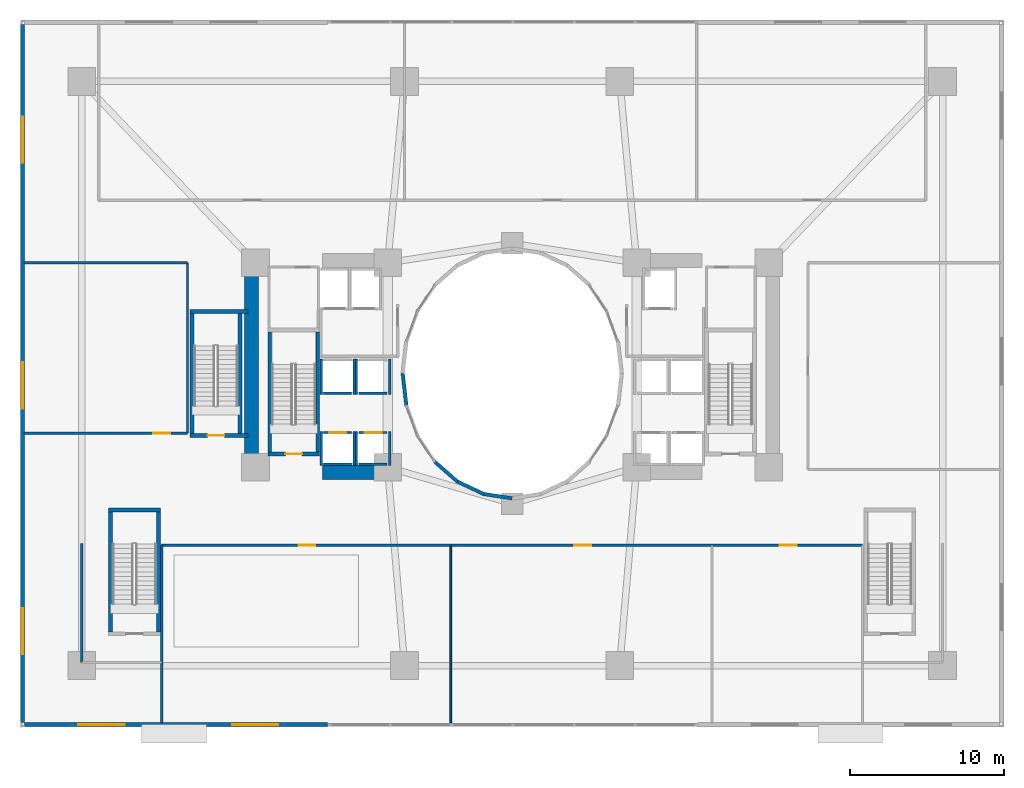
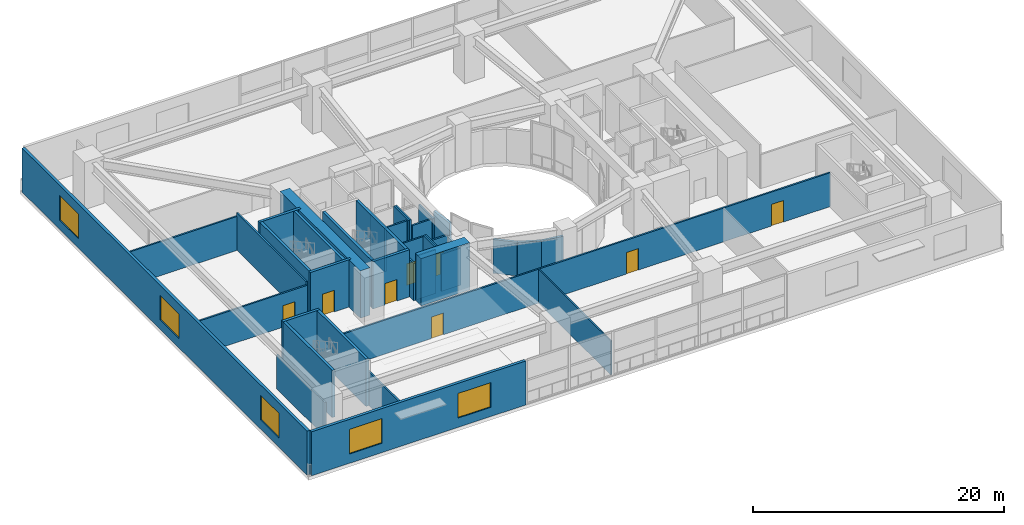
# One storey, part 15 of 25: 39 walls, 8 doors, 5 windows, 13 openings.
"""IFC4 building model written with IfcOpenShell, lengths in metres."""

from ifc_helpers import new_model, si_unit, direction, frame, frame_2d, origin, place, context, subcontext, project, spatial, rectangle, extrude, material, layer, layer_set, type_object, element, fill, save


model = new_model("IFC4")

# Units and contexts
model_context = context("Model", 3, precision=1e-05, world=origin(), true_north=direction((0.0, 1.0)))
body_context = subcontext(model_context, "Body", "Model", "MODEL_VIEW")
ifc_project = project(units=[si_unit("LENGTHUNIT", "METRE"), si_unit("AREAUNIT", "SQUARE_METRE"), si_unit("VOLUMEUNIT", "CUBIC_METRE"), si_unit("PLANEANGLEUNIT", "RADIAN"), si_unit("MASSUNIT", "GRAM", prefix="KILO")], contexts=[model_context])

# Site, building, storey
site_placement = place(None, origin())
site = spatial("IfcSite", under=ifc_project, at=site_placement, CompositionType="ELEMENT")
building_placement = place(site_placement, origin())
building = spatial("IfcBuilding", under=site, at=building_placement, Name="Solvane Sanctuary Tower", CompositionType="ELEMENT")
storey_placement = place(building_placement, frame((0.0, 0.0, 13.800048828125)))
storey = spatial("IfcBuildingStorey", under=building, at=storey_placement, Name="L04", CompositionType="ELEMENT", Elevation=13.800048828125)

# Walls
ifc_material_1 = material(Name="Concrete C70/85", Category="concrete")
ifc_layer_1 = layer(ifc_material_1, 0.89990234375, Name="Concrete C70/85")
ifc_layer_set_1 = layer_set([ifc_layer_1], Name="Concrete C70/85")
wall_type_1 = type_object("IfcWallType", Name="Wall W-CORE-900", PredefinedType="SHEAR", material=ifc_layer_set_1)
wall_1_placement = place(storey_placement, frame((15.050048828125, 17.050048828125, 0.0), z_axis=(0.0, 0.0, 1.0), x_axis=(0.0, 1.0, 0.0)))
element("IfcWall", 1, at=wall_1_placement, inside=storey, type_object=wall_type_1, Name="L04 Core Shear Wall WC-W", PredefinedType="SHEAR", context=body_context, shape_type="SweptSolid", body=[
    extrude(rectangle(XDim=12.800048828125, YDim=0.89990234375, at=frame_2d((6.39990234375, 0.0))), origin(), (0.0, 0.0, 1.0), 4.599853515625),
])
wall_2_placement = place(storey_placement, frame((19.64990234375, 16.550048828125, 0.0), z_axis=(0.0, 0.0, 1.0), x_axis=(1.0, 0.0, 0.0)))
element("IfcWall", 2, at=wall_2_placement, inside=storey, type_object=wall_type_1, Name="L04 Core Shear Wall WC-S", PredefinedType="SHEAR", context=body_context, shape_type="SweptSolid", body=[
    extrude(rectangle(XDim=4.5, YDim=0.89990234375, at=frame_2d((2.25, 0.0))), origin(), (0.0, 0.0, 1.0), 4.599853515625),
])

# Wall, openings, doors
ifc_material_2 = material(Name="Acoustic Gypsum Partition Board")
ifc_layer_2 = layer(ifc_material_2, 0.14990234375, Name="Acoustic Gypsum Partition Board")
ifc_layer_set_2 = layer_set([ifc_layer_2], Name="Acoustic Gypsum Partition Board")
wall_type_2 = type_object("IfcWallType", Name="Wall W-CORR-150", PredefinedType="PARTITIONING", material=ifc_layer_set_2)
wall_3_placement = place(storey_placement, frame((9.199951171875, 11.830078125, 0.0), z_axis=(0.0, 0.0, 1.0), x_axis=(1.0, 0.0, 0.0)))
wall_3 = element("IfcWall", 3, at=wall_3_placement, inside=storey, type_object=wall_type_2, Name="L04 South Sanctuary Corridor Wall", PredefinedType="PARTITIONING", context=body_context, shape_type="SweptSolid", body=[
    extrude(rectangle(XDim=45.60009765625, YDim=0.14990234375, at=frame_2d((22.800048828125, 0.0))), origin(), (0.0, 0.0, 1.0), 3.300048828125),
])
opening_1_placement = place(wall_3_placement, frame((8.89990234375, 0.0, 0.0)))
opening_1 = element("IfcOpeningElement", 4, at=opening_1_placement, cuts=wall_3, Name="Opening D-L04-08", PredefinedType="OPENING", context=body_context, shape_type="SweptSolid", body=[
    extrude(rectangle(XDim=1.10009765625, YDim=2.10009765625, at=frame_2d((0.550048828125, 1.050048828125))), frame((0.0, 0.0849609375, 0.0), z_axis=(0.0, -1.0, 0.0), x_axis=(1.0, 0.0, 0.0)), (0.0, 0.0, 1.0), 0.169921875),
])
opening_2_placement = place(wall_3_placement, frame((26.85009765625, 0.0, 0.0)))
opening_2 = element("IfcOpeningElement", 5, at=opening_2_placement, cuts=wall_3, Name="Opening D-L04-09", PredefinedType="OPENING", context=body_context, shape_type="SweptSolid", body=[
    extrude(rectangle(XDim=1.10009765625, YDim=2.10009765625, at=frame_2d((0.550048828125, 1.050048828125))), frame((0.0, 0.0849609375, 0.0), z_axis=(0.0, -1.0, 0.0), x_axis=(1.0, 0.0, 0.0)), (0.0, 0.0, 1.0), 0.169921875),
])
opening_3_placement = place(wall_3_placement, frame((40.199951171875, 0.0, 0.0)))
opening_3 = element("IfcOpeningElement", 6, at=opening_3_placement, cuts=wall_3, Name="Opening D-L04-10", PredefinedType="OPENING", context=body_context, shape_type="SweptSolid", body=[
    extrude(rectangle(XDim=1.10009765625, YDim=2.10009765625, at=frame_2d((0.550048828125, 1.050048828125))), frame((0.0, 0.0849609375, 0.0), z_axis=(0.0, -1.0, 0.0), x_axis=(1.0, 0.0, 0.0)), (0.0, 0.0, 1.0), 0.169921875),
])
ifc_material_3 = material(Name="Architectural Stainless Steel 316", Category="steel")
door_type_1 = type_object("IfcDoorType", Name="Door D-FFL", OperationType="NOTDEFINED", PredefinedType="DOOR", material=ifc_material_3)
door_1_placement = place(opening_1_placement, origin())
door_1 = element("IfcDoor", 7, at=door_1_placement, inside=storey, type_object=door_type_1, Name="L04 REF-W Hall Door", OperationType="SINGLE_SWING_RIGHT", OverallHeight=2.10009765625, OverallWidth=1.10009765625, PredefinedType="DOOR", context=body_context, shape_type="SweptSolid", body=[
    extrude(rectangle(XDim=1.10009765625, YDim=2.10009765625, at=frame_2d((0.550048828125, 1.050048828125))), frame((0.0, 0.02490234375, 0.0), z_axis=(0.0, -1.0, 0.0), x_axis=(1.0, 0.0, 0.0)), (0.0, 0.0, 1.0), 0.050048828125),
])
fill(opening_1, door_1)
door_2_placement = place(opening_2_placement, origin())
door_2 = element("IfcDoor", 8, at=door_2_placement, inside=storey, type_object=door_type_1, Name="L04 REF-E Hall Door", OperationType="SINGLE_SWING_LEFT", OverallHeight=2.10009765625, OverallWidth=1.10009765625, PredefinedType="DOOR", context=body_context, shape_type="SweptSolid", body=[
    extrude(rectangle(XDim=1.10009765625, YDim=2.10009765625, at=frame_2d((0.550048828125, 1.050048828125))), frame((0.0, 0.02490234375, 0.0), z_axis=(0.0, -1.0, 0.0), x_axis=(1.0, 0.0, 0.0)), (0.0, 0.0, 1.0), 0.050048828125),
])
fill(opening_2, door_2)
door_3_placement = place(opening_3_placement, origin())
door_3 = element("IfcDoor", 9, at=door_3_placement, inside=storey, type_object=door_type_1, Name="L04 TEA-S Hall Door", OperationType="SINGLE_SWING_RIGHT", OverallHeight=2.10009765625, OverallWidth=1.10009765625, PredefinedType="DOOR", context=body_context, shape_type="SweptSolid", body=[
    extrude(rectangle(XDim=1.10009765625, YDim=2.10009765625, at=frame_2d((0.550048828125, 1.050048828125))), frame((0.0, 0.02490234375, 0.0), z_axis=(0.0, -1.0, 0.0), x_axis=(1.0, 0.0, 0.0)), (0.0, 0.0, 1.0), 0.050048828125),
])
fill(opening_3, door_3)

# Walls
wall_4_placement = place(storey_placement, frame((9.199951171875, 0.25, 0.0), z_axis=(0.0, 0.0, 1.0), x_axis=(0.0, 1.0, 0.0)))
element("IfcWall", 10, at=wall_4_placement, inside=storey, type_object=wall_type_2, Name="L04 West Hall End Wall", PredefinedType="PARTITIONING", context=body_context, shape_type="SweptSolid", body=[
    extrude(rectangle(XDim=11.580078125, YDim=0.14990234375, at=frame_2d((5.7900390625, 0.0))), origin(), (0.0, 0.0, 1.0), 3.300048828125),
])
wall_5_placement = place(storey_placement, frame((4.0, 4.199951171875, 0.0), z_axis=(0.0, 0.0, 1.0), x_axis=(0.0, 1.0, 0.0)))
element("IfcWall", 11, at=wall_5_placement, inside=storey, type_object=wall_type_2, Name="L04 ST-4 Link West Wall", PredefinedType="PARTITIONING", context=body_context, shape_type="SweptSolid", body=[
    extrude(rectangle(XDim=7.75, YDim=0.14990234375, at=frame_2d((3.875, 0.0))), origin(), (0.0, 0.0, 1.0), 3.300048828125),
])

# Wall, opening, door
wall_6_placement = place(storey_placement, frame((0.25, 19.1201171875, 0.0), z_axis=(0.0, 0.0, 1.0), x_axis=(1.0, 0.0, 0.0)))
wall_6 = element("IfcWall", 12, at=wall_6_placement, inside=storey, type_object=wall_type_2, Name="L04 West Cloister South Wall", PredefinedType="PARTITIONING", context=body_context, shape_type="SweptSolid", body=[
    extrude(rectangle(XDim=10.6298828125, YDim=0.14990234375, at=frame_2d((5.31494140625, 0.0))), origin(), (0.0, 0.0, 1.0), 3.300048828125),
])
opening_4_placement = place(wall_6_placement, frame((8.39990234375, 0.0, 0.0)))
opening_4 = element("IfcOpeningElement", 13, at=opening_4_placement, cuts=wall_6, Name="Opening D-L04-15", PredefinedType="OPENING", context=body_context, shape_type="SweptSolid", body=[
    extrude(rectangle(XDim=1.10009765625, YDim=2.10009765625, at=frame_2d((0.550048828125, 1.050048828125))), frame((0.0, 0.0849609375, 0.0), z_axis=(0.0, -1.0, 0.0), x_axis=(1.0, 0.0, 0.0)), (0.0, 0.0, 1.0), 0.169921875),
])
door_4_placement = place(opening_4_placement, origin())
door_4 = element("IfcDoor", 14, at=door_4_placement, inside=storey, type_object=door_type_1, Name="L04 West Cloister Door", OperationType="SINGLE_SWING_LEFT", OverallHeight=2.10009765625, OverallWidth=1.10009765625, PredefinedType="DOOR", context=body_context, shape_type="SweptSolid", body=[
    extrude(rectangle(XDim=1.10009765625, YDim=2.10009765625, at=frame_2d((0.550048828125, 1.050048828125))), frame((0.0, 0.02490234375, 0.0), z_axis=(0.0, -1.0, 0.0), x_axis=(1.0, 0.0, 0.0)), (0.0, 0.0, 1.0), 0.050048828125),
])
fill(opening_4, door_4)

# Walls
wall_7_placement = place(storey_placement, frame((10.8798828125, 19.1201171875, 0.0), z_axis=(0.0, 0.0, 1.0), x_axis=(0.0, 1.0, 0.0)))
element("IfcWall", 15, at=wall_7_placement, inside=storey, type_object=wall_type_2, Name="L04 West Cloister East Wall", PredefinedType="PARTITIONING", context=body_context, shape_type="SweptSolid", body=[
    extrude(rectangle(XDim=11.079833984375, YDim=0.14990234375, at=frame_2d((5.5400390625, 0.0))), origin(), (0.0, 0.0, 1.0), 3.619873046875),
])
wall_8_placement = place(storey_placement, frame((0.25, 30.199951171875, 0.0), z_axis=(0.0, 0.0, 1.0), x_axis=(1.0, 0.0, 0.0)))
element("IfcWall", 16, at=wall_8_placement, inside=storey, type_object=wall_type_2, Name="L04 West Cloister North Wall", PredefinedType="PARTITIONING", context=body_context, shape_type="SweptSolid", body=[
    extrude(rectangle(XDim=10.6298828125, YDim=0.14990234375, at=frame_2d((5.31494140625, 0.0))), origin(), (0.0, 0.0, 1.0), 3.300048828125),
])

# Wall, openings, windows
ifc_material_4 = material(Name="Precast concrete C40/50", Category="concrete")
ifc_layer_3 = layer(ifc_material_4, 0.260009765625, Name="Precast concrete C40/50")
ifc_layer_set_3 = layer_set([ifc_layer_3], Name="Precast concrete C40/50")
wall_type_3 = type_object("IfcWallType", Name="Wall W-EXT-250", PredefinedType="STANDARD", material=ifc_layer_set_3)
wall_9_placement = place(storey_placement, frame((0.280029296875, 0.14990234375, 0.0), z_axis=(0.0, 0.0, 1.0), x_axis=(1.0, 0.0, 0.0)))
wall_9 = element("IfcWall", 17, at=wall_9_placement, inside=storey, type_object=wall_type_3, Name="L04 Podium Facade Wall S1", PredefinedType="STANDARD", context=body_context, shape_type="SweptSolid", body=[
    extrude(rectangle(XDim=19.719970703125, YDim=0.260009765625, at=frame_2d((9.85986328125, 0.0))), origin(), (0.0, 0.0, 1.0), 4.280029296875),
])
opening_5_placement = place(wall_9_placement, frame((3.5, 0.0, 0.89990234375)))
opening_5 = element("IfcOpeningElement", 18, at=opening_5_placement, cuts=wall_9, Name="Opening WN-POD-3000", PredefinedType="OPENING", context=body_context, shape_type="SweptSolid", body=[
    extrude(rectangle(XDim=3.0, YDim=2.39990234375, at=frame_2d((1.5, 1.199951171875))), frame((0.0, 0.139892578125, 0.0), z_axis=(0.0, -1.0, 0.0), x_axis=(1.0, 0.0, 0.0)), (0.0, 0.0, 1.0), 0.280029296875),
])
opening_6_placement = place(wall_9_placement, frame((13.5, 0.0, 0.89990234375)))
opening_6 = element("IfcOpeningElement", 19, at=opening_6_placement, cuts=wall_9, Name="Opening WN-POD-3000", PredefinedType="OPENING", context=body_context, shape_type="SweptSolid", body=[
    extrude(rectangle(XDim=3.0, YDim=2.39990234375, at=frame_2d((1.5, 1.199951171875))), frame((0.0, 0.139892578125, 0.0), z_axis=(0.0, -1.0, 0.0), x_axis=(1.0, 0.0, 0.0)), (0.0, 0.0, 1.0), 0.280029296875),
])
ifc_material_5 = material(Name="Dark Ceramic-Fritted Low-E Glass", Category="glass")
window_type = type_object("IfcWindowType", Name="Window WN-POD-3000", PartitioningType="SINGLE_PANEL", PredefinedType="WINDOW", material=ifc_material_5)
window_1_placement = place(opening_5_placement, origin())
window_1 = element("IfcWindow", 20, at=window_1_placement, inside=storey, type_object=window_type, Name="L04 Podium Window S1-3", OverallHeight=2.39990234375, OverallWidth=3.0, PartitioningType="SINGLE_PANEL", PredefinedType="WINDOW", context=body_context, shape_type="SweptSolid", body=[
    extrude(rectangle(XDim=3.0, YDim=2.39990234375, at=frame_2d((1.5, 1.199951171875))), frame((0.0, 0.030029296875, 0.0), z_axis=(0.0, -1.0, 0.0), x_axis=(1.0, 0.0, 0.0)), (0.0, 0.0, 1.0), 0.06005859375),
])
fill(opening_5, window_1)
window_2_placement = place(opening_6_placement, origin())
window_2 = element("IfcWindow", 21, at=window_2_placement, inside=storey, type_object=window_type, Name="L04 Podium Window S1-13", OverallHeight=2.39990234375, OverallWidth=3.0, PartitioningType="SINGLE_PANEL", PredefinedType="WINDOW", context=body_context, shape_type="SweptSolid", body=[
    extrude(rectangle(XDim=3.0, YDim=2.39990234375, at=frame_2d((1.5, 1.199951171875))), frame((0.0, 0.030029296875, 0.0), z_axis=(0.0, -1.0, 0.0), x_axis=(1.0, 0.0, 0.0)), (0.0, 0.0, 1.0), 0.06005859375),
])
fill(opening_6, window_2)

wall_10_placement = place(storey_placement, frame((0.14990234375, 45.719970703125, 0.0), z_axis=(0.0, 0.0, 1.0), x_axis=(0.0, -1.0, 0.0)))
wall_10 = element("IfcWall", 22, at=wall_10_placement, inside=storey, type_object=wall_type_3, Name="L04 Podium Facade Wall W1", PredefinedType="STANDARD", context=body_context, shape_type="SweptSolid", body=[
    extrude(rectangle(XDim=45.43994140625, YDim=0.260009765625, at=frame_2d((22.719970703125, 0.0))), origin(), (0.0, 0.0, 1.0), 4.280029296875),
])
opening_7_placement = place(wall_10_placement, frame((6.0, 0.0, 0.89990234375)))
opening_7 = element("IfcOpeningElement", 23, at=opening_7_placement, cuts=wall_10, Name="Opening WN-POD-3000", PredefinedType="OPENING", context=body_context, shape_type="SweptSolid", body=[
    extrude(rectangle(XDim=3.0, YDim=2.39990234375, at=frame_2d((1.5, 1.199951171875))), frame((0.0, 0.139892578125, 0.0), z_axis=(0.0, -1.0, 0.0), x_axis=(1.0, 0.0, 0.0)), (0.0, 0.0, 1.0), 0.280029296875),
])
opening_8_placement = place(wall_10_placement, frame((22.0, 0.0, 0.89990234375)))
opening_8 = element("IfcOpeningElement", 24, at=opening_8_placement, cuts=wall_10, Name="Opening WN-POD-3000", PredefinedType="OPENING", context=body_context, shape_type="SweptSolid", body=[
    extrude(rectangle(XDim=3.0, YDim=2.39990234375, at=frame_2d((1.5, 1.199951171875))), frame((0.0, 0.139892578125, 0.0), z_axis=(0.0, -1.0, 0.0), x_axis=(1.0, 0.0, 0.0)), (0.0, 0.0, 1.0), 0.280029296875),
])
opening_9_placement = place(wall_10_placement, frame((38.0, 0.0, 0.89990234375)))
opening_9 = element("IfcOpeningElement", 25, at=opening_9_placement, cuts=wall_10, Name="Opening WN-POD-3000", PredefinedType="OPENING", context=body_context, shape_type="SweptSolid", body=[
    extrude(rectangle(XDim=3.0, YDim=2.39990234375, at=frame_2d((1.5, 1.199951171875))), frame((0.0, 0.139892578125, 0.0), z_axis=(0.0, -1.0, 0.0), x_axis=(1.0, 0.0, 0.0)), (0.0, 0.0, 1.0), 0.280029296875),
])
window_3_placement = place(opening_7_placement, origin())
window_3 = element("IfcWindow", 26, at=window_3_placement, inside=storey, type_object=window_type, Name="L04 Podium Window W1-6", OverallHeight=2.39990234375, OverallWidth=3.0, PartitioningType="SINGLE_PANEL", PredefinedType="WINDOW", context=body_context, shape_type="SweptSolid", body=[
    extrude(rectangle(XDim=3.0, YDim=2.39990234375, at=frame_2d((1.5, 1.199951171875))), frame((0.0, 0.030029296875, 0.0), z_axis=(0.0, -1.0, 0.0), x_axis=(1.0, 0.0, 0.0)), (0.0, 0.0, 1.0), 0.06005859375),
])
fill(opening_7, window_3)
window_4_placement = place(opening_8_placement, origin())
window_4 = element("IfcWindow", 27, at=window_4_placement, inside=storey, type_object=window_type, Name="L04 Podium Window W1-22", OverallHeight=2.39990234375, OverallWidth=3.0, PartitioningType="SINGLE_PANEL", PredefinedType="WINDOW", context=body_context, shape_type="SweptSolid", body=[
    extrude(rectangle(XDim=3.0, YDim=2.39990234375, at=frame_2d((1.5, 1.199951171875))), frame((0.0, 0.030029296875, 0.0), z_axis=(0.0, -1.0, 0.0), x_axis=(1.0, 0.0, 0.0)), (0.0, 0.0, 1.0), 0.06005859375),
])
fill(opening_8, window_4)
window_5_placement = place(opening_9_placement, origin())
window_5 = element("IfcWindow", 28, at=window_5_placement, inside=storey, type_object=window_type, Name="L04 Podium Window W1-38", OverallHeight=2.39990234375, OverallWidth=3.0, PartitioningType="SINGLE_PANEL", PredefinedType="WINDOW", context=body_context, shape_type="SweptSolid", body=[
    extrude(rectangle(XDim=3.0, YDim=2.39990234375, at=frame_2d((1.5, 1.199951171875))), frame((0.0, 0.030029296875, 0.0), z_axis=(0.0, -1.0, 0.0), x_axis=(1.0, 0.0, 0.0)), (0.0, 0.0, 1.0), 0.06005859375),
])
fill(opening_9, window_5)

# Walls
ifc_layer_4 = layer(ifc_material_4, 0.22998046875, Name="Precast concrete C40/50")
ifc_layer_set_4 = layer_set([ifc_layer_4], Name="Precast concrete C40/50")
wall_type_4 = type_object("IfcWallType", Name="Wall W-EXT-SP220", PredefinedType="STANDARD", material=ifc_layer_set_4)
wall_11_placement = place(storey_placement, frame((24.8798828125, 23.0, 0.0), z_axis=(0.0, 0.0, 1.0), x_axis=(0.114711713601, -0.993398823617, 0.0)))
element("IfcWall", 29, at=wall_11_placement, inside=storey, type_object=wall_type_4, Name="L04 Light-Well Enclosure Wall 12", PredefinedType="STANDARD", context=body_context, shape_type="SweptSolid", body=[
    extrude(rectangle(XDim=2.115478515625, YDim=0.22998046875, at=frame_2d((1.0576171875, 0.0))), origin(), (0.0, 0.0, 1.0), 3.280029296875),
])
wall_12_placement = place(storey_placement, frame((26.96533203125, 17.25830078125, 0.0), z_axis=(0.0, 0.0, 1.0), x_axis=(0.752576694707, -0.658504607869, 0.0)))
element("IfcWall", 30, at=wall_12_placement, inside=storey, type_object=wall_type_4, Name="L04 Light-Well Enclosure Wall 15", PredefinedType="STANDARD", context=body_context, shape_type="SweptSolid", body=[
    extrude(rectangle(XDim=1.95947265625, YDim=0.22998046875, at=frame_2d((0.979736328125, 0.0))), origin(), (0.0, 0.0, 1.0), 3.280029296875),
])
wall_13_placement = place(storey_placement, frame((28.43994140625, 15.968017578125, 0.0), z_axis=(0.0, 0.0, 1.0), x_axis=(0.904179699603, -0.427152280606, 0.0)))
element("IfcWall", 31, at=wall_13_placement, inside=storey, type_object=wall_type_4, Name="L04 Light-Well Enclosure Wall 16", PredefinedType="STANDARD", context=body_context, shape_type="SweptSolid", body=[
    extrude(rectangle(XDim=1.899169921875, YDim=0.22998046875, at=frame_2d((0.94970703125, 0.0))), origin(), (0.0, 0.0, 1.0), 3.280029296875),
])
wall_14_placement = place(storey_placement, frame((30.1572265625, 15.15673828125, 0.0), z_axis=(0.0, 0.0, 1.0), x_axis=(0.988901730308, -0.148571086668, 0.0)))
element("IfcWall", 32, at=wall_14_placement, inside=storey, type_object=wall_type_4, Name="L04 Light-Well Enclosure Wall 17", PredefinedType="STANDARD", context=body_context, shape_type="SweptSolid", body=[
    extrude(rectangle(XDim=1.863525390625, YDim=0.22998046875, at=frame_2d((0.931640625, 0.0))), origin(), (0.0, 0.0, 1.0), 3.280029296875),
])
ifc_layer_5 = layer(ifc_material_2, 0.1201171875, Name="Acoustic Gypsum Partition Board")
ifc_layer_set_5 = layer_set([ifc_layer_5], Name="Acoustic Gypsum Partition Board")
wall_type_5 = type_object("IfcWallType", Name="Wall W-MOV-100", PredefinedType="MOVABLE", material=ifc_layer_set_5)
wall_15_placement = place(storey_placement, frame((28.0, 0.25, 0.0), z_axis=(0.0, 0.0, 1.0), x_axis=(0.0, 1.0, 0.0)))
element("IfcWall", 33, at=wall_15_placement, inside=storey, type_object=wall_type_5, Name="L04 Hall Dividing Partition REF-W", PredefinedType="MOVABLE", context=body_context, shape_type="SweptSolid", body=[
    extrude(rectangle(XDim=11.530029296875, YDim=0.1201171875, at=frame_2d((5.76513671875, 0.0))), origin(), (0.0, 0.0, 1.0), 3.300048828125),
])

# Wall, opening, door
ifc_material_6 = material(Name="Concrete C50/60", Category="concrete")
ifc_layer_6 = layer(ifc_material_6, 0.14990234375, Name="Concrete C50/60")
ifc_layer_set_6 = layer_set([ifc_layer_6], Name="Concrete C50/60")
wall_type_6 = type_object("IfcWallType", Name="Wall W-SHAFT-150", PredefinedType="SOLIDWALL", material=ifc_layer_set_6)
wall_16_placement = place(storey_placement, frame((19.739990234375, 19.159912109375, 0.0), z_axis=(0.0, 0.0, 1.0), x_axis=(1.0, 0.0, 0.0)))
wall_16 = element("IfcWall", 34, at=wall_16_placement, inside=storey, type_object=wall_type_6, Name="L04 PL-1 Lift Shaft Wall F", PredefinedType="SOLIDWALL", context=body_context, shape_type="SweptSolid", body=[
    extrude(rectangle(XDim=1.820068359375, YDim=0.14990234375, at=frame_2d((0.91015625, 0.0))), origin(), (0.0, 0.0, 1.0), 4.2548828125),
])
opening_10_placement = place(wall_16_placement, frame((0.360107421875, 0.0, 0.0)))
opening_10 = element("IfcOpeningElement", 35, at=opening_10_placement, cuts=wall_16, Name="Opening LD-L04-01", PredefinedType="OPENING", context=body_context, shape_type="SweptSolid", body=[
    extrude(rectangle(XDim=1.10009765625, YDim=2.10009765625, at=frame_2d((0.550048828125, 1.050048828125))), frame((0.0, 0.0849609375, 0.0), z_axis=(0.0, -1.0, 0.0), x_axis=(1.0, 0.0, 0.0)), (0.0, 0.0, 1.0), 0.169921875),
])
door_type_2 = type_object("IfcDoorType", Name="Door LD-PASS-1100", OperationType="NOTDEFINED", PredefinedType="DOOR", material=ifc_material_3)
door_5_placement = place(opening_10_placement, origin())
door_5 = element("IfcDoor", 36, at=door_5_placement, inside=storey, type_object=door_type_2, Name="L04 PL-1 Lift Landing Door", OperationType="DOUBLE_DOOR_SLIDING", OverallHeight=2.10009765625, OverallWidth=1.10009765625, PredefinedType="DOOR", context=body_context, shape_type="SweptSolid", body=[
    extrude(rectangle(XDim=1.10009765625, YDim=2.10009765625, at=frame_2d((0.550048828125, 1.050048828125))), frame((0.0, 0.02490234375, 0.0), z_axis=(0.0, -1.0, 0.0), x_axis=(1.0, 0.0, 0.0)), (0.0, 0.0, 1.0), 0.050048828125),
])
fill(opening_10, door_5)

# Walls
wall_17_placement = place(storey_placement, frame((19.739990234375, 17.10009765625, 0.0), z_axis=(0.0, 0.0, 1.0), x_axis=(1.0, 0.0, 0.0)))
element("IfcWall", 37, at=wall_17_placement, inside=storey, type_object=wall_type_6, Name="L04 PL-1 Lift Shaft Wall B", PredefinedType="SOLIDWALL", context=body_context, shape_type="SweptSolid", body=[
    extrude(rectangle(XDim=1.820068359375, YDim=0.14990234375, at=frame_2d((0.91015625, 0.0))), origin(), (0.0, 0.0, 1.0), 4.2548828125),
])
wall_18_placement = place(storey_placement, frame((19.570068359375, 17.02001953125, 0.0), z_axis=(0.0, 0.0, 1.0), x_axis=(0.0, 1.0, 0.0)))
element("IfcWall", 38, at=wall_18_placement, inside=storey, type_object=wall_type_6, Name="L04 PL-1 Lift Shaft Wall S1", PredefinedType="SOLIDWALL", context=body_context, shape_type="SweptSolid", body=[
    extrude(rectangle(XDim=2.219970703125, YDim=0.14990234375, at=frame_2d((1.10986328125, 0.0))), origin(), (0.0, 0.0, 1.0), 3.619873046875),
])
wall_19_placement = place(storey_placement, frame((21.72998046875, 17.02001953125, 0.0), z_axis=(0.0, 0.0, 1.0), x_axis=(0.0, 1.0, 0.0)))
element("IfcWall", 39, at=wall_19_placement, inside=storey, type_object=wall_type_6, Name="L04 PL-1 Lift Shaft Wall S2", PredefinedType="SOLIDWALL", context=body_context, shape_type="SweptSolid", body=[
    extrude(rectangle(XDim=2.219970703125, YDim=0.14990234375, at=frame_2d((1.10986328125, 0.0))), origin(), (0.0, 0.0, 1.0), 4.2548828125),
])

# Wall, opening, door
wall_20_placement = place(storey_placement, frame((22.0400390625, 19.159912109375, 0.0), z_axis=(0.0, 0.0, 1.0), x_axis=(1.0, 0.0, 0.0)))
wall_20 = element("IfcWall", 40, at=wall_20_placement, inside=storey, type_object=wall_type_6, Name="L04 PL-2 Lift Shaft Wall F", PredefinedType="SOLIDWALL", context=body_context, shape_type="SweptSolid", body=[
    extrude(rectangle(XDim=1.820068359375, YDim=0.14990234375, at=frame_2d((0.91015625, 0.0))), origin(), (0.0, 0.0, 1.0), 3.619873046875),
])
opening_11_placement = place(wall_20_placement, frame((0.360107421875, 0.0, 0.0)))
opening_11 = element("IfcOpeningElement", 41, at=opening_11_placement, cuts=wall_20, Name="Opening LD-L04-02", PredefinedType="OPENING", context=body_context, shape_type="SweptSolid", body=[
    extrude(rectangle(XDim=1.10009765625, YDim=2.10009765625, at=frame_2d((0.550048828125, 1.050048828125))), frame((0.0, 0.0849609375, 0.0), z_axis=(0.0, -1.0, 0.0), x_axis=(1.0, 0.0, 0.0)), (0.0, 0.0, 1.0), 0.169921875),
])
door_6_placement = place(opening_11_placement, origin())
door_6 = element("IfcDoor", 42, at=door_6_placement, inside=storey, type_object=door_type_2, Name="L04 PL-2 Lift Landing Door", OperationType="DOUBLE_DOOR_SLIDING", OverallHeight=2.10009765625, OverallWidth=1.10009765625, PredefinedType="DOOR", context=body_context, shape_type="SweptSolid", body=[
    extrude(rectangle(XDim=1.10009765625, YDim=2.10009765625, at=frame_2d((0.550048828125, 1.050048828125))), frame((0.0, 0.02490234375, 0.0), z_axis=(0.0, -1.0, 0.0), x_axis=(1.0, 0.0, 0.0)), (0.0, 0.0, 1.0), 0.050048828125),
])
fill(opening_11, door_6)

# Walls
wall_21_placement = place(storey_placement, frame((22.0400390625, 17.10009765625, 0.0), z_axis=(0.0, 0.0, 1.0), x_axis=(1.0, 0.0, 0.0)))
element("IfcWall", 43, at=wall_21_placement, inside=storey, type_object=wall_type_6, Name="L04 PL-2 Lift Shaft Wall B", PredefinedType="SOLIDWALL", context=body_context, shape_type="SweptSolid", body=[
    extrude(rectangle(XDim=1.820068359375, YDim=0.14990234375, at=frame_2d((0.91015625, 0.0))), origin(), (0.0, 0.0, 1.0), 3.619873046875),
])
wall_22_placement = place(storey_placement, frame((21.8701171875, 17.02001953125, 0.0), z_axis=(0.0, 0.0, 1.0), x_axis=(0.0, 1.0, 0.0)))
element("IfcWall", 44, at=wall_22_placement, inside=storey, type_object=wall_type_6, Name="L04 PL-2 Lift Shaft Wall S1", PredefinedType="SOLIDWALL", context=body_context, shape_type="SweptSolid", body=[
    extrude(rectangle(XDim=2.219970703125, YDim=0.14990234375, at=frame_2d((1.10986328125, 0.0))), origin(), (0.0, 0.0, 1.0), 4.2548828125),
])
wall_23_placement = place(storey_placement, frame((24.030029296875, 17.02001953125, 0.0), z_axis=(0.0, 0.0, 1.0), x_axis=(0.0, 1.0, 0.0)))
element("IfcWall", 45, at=wall_23_placement, inside=storey, type_object=wall_type_6, Name="L04 PL-2 Lift Shaft Wall S2", PredefinedType="SOLIDWALL", context=body_context, shape_type="SweptSolid", body=[
    extrude(rectangle(XDim=2.219970703125, YDim=0.14990234375, at=frame_2d((1.10986328125, 0.0))), origin(), (0.0, 0.0, 1.0), 3.300048828125),
])
wall_24_placement = place(storey_placement, frame((19.739990234375, 21.719970703125, 0.0), z_axis=(0.0, 0.0, 1.0), x_axis=(1.0, 0.0, 0.0)))
element("IfcWall", 46, at=wall_24_placement, inside=storey, type_object=wall_type_6, Name="L04 PM-1 Lift Shaft Wall F", PredefinedType="SOLIDWALL", context=body_context, shape_type="SweptSolid", body=[
    extrude(rectangle(XDim=1.820068359375, YDim=0.14990234375, at=frame_2d((0.91015625, 0.0))), origin(), (0.0, 0.0, 1.0), 4.2548828125),
])
for number, where, z_axis, x_axis, name in (
    (47, (19.570068359375, 21.639892578125, 0.0), (0.0, 0.0, 1.0), (0.0, 1.0, 0.0), "L04 PM-1 Lift Shaft Wall S1"),
    (48, (21.72998046875, 21.639892578125, 0.0), (0.0, 0.0, 1.0), (0.0, 1.0, 0.0), "L04 PM-1 Lift Shaft Wall S2"),
):
    element("IfcWall", number, at=place(storey_placement, frame(where, z_axis=z_axis, x_axis=x_axis)), inside=storey, type_object=wall_type_6, Name=name, PredefinedType="SOLIDWALL", context=body_context, shape_type="SweptSolid", body=[
        extrude(rectangle(XDim=2.320068359375, YDim=0.14990234375, at=frame_2d((1.16015625, 0.0))), origin(), (0.0, 0.0, 1.0), 4.2548828125),
    ])
wall_25_placement = place(storey_placement, frame((22.0400390625, 21.719970703125, 0.0), z_axis=(0.0, 0.0, 1.0), x_axis=(1.0, 0.0, 0.0)))
element("IfcWall", 49, at=wall_25_placement, inside=storey, type_object=wall_type_6, Name="L04 PH-1 Lift Shaft Wall F", PredefinedType="SOLIDWALL", context=body_context, shape_type="SweptSolid", body=[
    extrude(rectangle(XDim=1.820068359375, YDim=0.14990234375, at=frame_2d((0.91015625, 0.0))), origin(), (0.0, 0.0, 1.0), 3.619873046875),
])
wall_26_placement = place(storey_placement, frame((21.8701171875, 21.639892578125, 0.0), z_axis=(0.0, 0.0, 1.0), x_axis=(0.0, 1.0, 0.0)))
element("IfcWall", 50, at=wall_26_placement, inside=storey, type_object=wall_type_6, Name="L04 PH-1 Lift Shaft Wall S1", PredefinedType="SOLIDWALL", context=body_context, shape_type="SweptSolid", body=[
    extrude(rectangle(XDim=2.320068359375, YDim=0.14990234375, at=frame_2d((1.16015625, 0.0))), origin(), (0.0, 0.0, 1.0), 4.2548828125),
])
wall_27_placement = place(storey_placement, frame((24.030029296875, 21.639892578125, 0.0), z_axis=(0.0, 0.0, 1.0), x_axis=(0.0, 1.0, 0.0)))
element("IfcWall", 51, at=wall_27_placement, inside=storey, type_object=wall_type_6, Name="L04 PH-1 Lift Shaft Wall S2", PredefinedType="SOLIDWALL", context=body_context, shape_type="SweptSolid", body=[
    extrude(rectangle(XDim=2.320068359375, YDim=0.14990234375, at=frame_2d((1.16015625, 0.0))), origin(), (0.0, 0.0, 1.0), 3.619873046875),
])

# Wall, opening, door
ifc_layer_7 = layer(ifc_material_6, 0.25, Name="Concrete C50/60")
ifc_layer_set_7 = layer_set([ifc_layer_7], Name="Concrete C50/60")
wall_type_7 = type_object("IfcWallType", Name="Wall W-SHAFT-250", PredefinedType="SOLIDWALL", material=ifc_layer_set_7)
wall_28_placement = place(storey_placement, frame((16.10498046875, 17.77001953125, 0.0), z_axis=(0.0, 0.0, 1.0), x_axis=(1.0, 0.0, 0.0)))
wall_28 = element("IfcWall", 52, at=wall_28_placement, inside=storey, type_object=wall_type_7, Name="L04 ST-1 Load-Bearing Shaft Wall S", PredefinedType="SOLIDWALL", context=body_context, shape_type="SweptSolid", body=[
    extrude(rectangle(XDim=3.3701171875, YDim=0.25, at=frame_2d((1.68505859375, 0.0))), origin(), (0.0, 0.0, 1.0), 4.599853515625),
])
opening_12_placement = place(wall_28_placement, frame((1.135009765625, 0.0, 0.0)))
opening_12 = element("IfcOpeningElement", 53, at=opening_12_placement, cuts=wall_28, Name="Opening D-L04-01", PredefinedType="OPENING", context=body_context, shape_type="SweptSolid", body=[
    extrude(rectangle(XDim=1.10009765625, YDim=2.10009765625, at=frame_2d((0.550048828125, 1.050048828125))), frame((0.0, 0.135009765625, 0.0), z_axis=(0.0, -1.0, 0.0), x_axis=(1.0, 0.0, 0.0)), (0.0, 0.0, 1.0), 0.27001953125),
])
door_type_3 = type_object("IfcDoorType", Name="Door D-STAIR", OperationType="NOTDEFINED", PredefinedType="DOOR", material=ifc_material_3)
door_7_placement = place(opening_12_placement, origin())
door_7 = element("IfcDoor", 54, at=door_7_placement, inside=storey, type_object=door_type_3, Name="L04 ST-1 Exit Stair Fire Door", OperationType="SINGLE_SWING_RIGHT", OverallHeight=2.10009765625, OverallWidth=1.10009765625, PredefinedType="DOOR", context=body_context, shape_type="SweptSolid", body=[
    extrude(rectangle(XDim=1.10009765625, YDim=2.10009765625, at=frame_2d((0.550048828125, 1.050048828125))), frame((0.0, 0.02490234375, 0.0), z_axis=(0.0, -1.0, 0.0), x_axis=(1.0, 0.0, 0.0)), (0.0, 0.0, 1.0), 0.050048828125),
])
fill(opening_12, door_7)

# Walls
for number, where, z_axis, x_axis, name in (
    (55, (16.22998046875, 17.89501953125, 0.0), (0.0, 0.0, 1.0), (0.0, 1.0, 0.0), "L04 ST-1 Load-Bearing Shaft Wall W"),
    (56, (19.35009765625, 17.89501953125, 0.0), (0.0, 0.0, 1.0), (0.0, 1.0, 0.0), "L04 ST-1 Load-Bearing Shaft Wall E"),
):
    element("IfcWall", number, at=place(storey_placement, frame(where, z_axis=z_axis, x_axis=x_axis)), inside=storey, type_object=wall_type_7, Name=name, PredefinedType="SOLIDWALL", context=body_context, shape_type="SweptSolid", body=[
        extrude(rectangle(XDim=7.81005859375, YDim=0.25, at=frame_2d((3.905029296875, 0.0))), origin(), (0.0, 0.0, 1.0), 4.599853515625),
    ])

# Wall, opening, door
wall_29_placement = place(storey_placement, frame((11.044921875, 18.969970703125, 0.0), z_axis=(0.0, 0.0, 1.0), x_axis=(1.0, 0.0, 0.0)))
wall_29 = element("IfcWall", 57, at=wall_29_placement, inside=storey, type_object=wall_type_7, Name="L04 ST-3 Load-Bearing Shaft Wall S", PredefinedType="SOLIDWALL", context=body_context, shape_type="SweptSolid", body=[
    extrude(rectangle(XDim=3.781982421875, YDim=0.25, at=frame_2d((1.89111328125, 0.0))), origin(), (0.0, 0.0, 1.0), 4.599853515625),
])
opening_13_placement = place(wall_29_placement, frame((1.135009765625, 0.0, 0.0)))
opening_13 = element("IfcOpeningElement", 58, at=opening_13_placement, cuts=wall_29, Name="Opening D-L04-03", PredefinedType="OPENING", context=body_context, shape_type="SweptSolid", body=[
    extrude(rectangle(XDim=1.10009765625, YDim=2.10009765625, at=frame_2d((0.550048828125, 1.050048828125))), frame((0.0, 0.135009765625, 0.0), z_axis=(0.0, -1.0, 0.0), x_axis=(1.0, 0.0, 0.0)), (0.0, 0.0, 1.0), 0.27001953125),
])
door_8_placement = place(opening_13_placement, origin())
door_8 = element("IfcDoor", 59, at=door_8_placement, inside=storey, type_object=door_type_3, Name="L04 ST-3 Exit Stair Fire Door", OperationType="SINGLE_SWING_RIGHT", OverallHeight=2.10009765625, OverallWidth=1.10009765625, PredefinedType="DOOR", context=body_context, shape_type="SweptSolid", body=[
    extrude(rectangle(XDim=1.10009765625, YDim=2.10009765625, at=frame_2d((0.550048828125, 1.050048828125))), frame((0.0, 0.02490234375, 0.0), z_axis=(0.0, -1.0, 0.0), x_axis=(1.0, 0.0, 0.0)), (0.0, 0.0, 1.0), 0.050048828125),
])
fill(opening_13, door_8)

# Walls
wall_30_placement = place(storey_placement, frame((11.044921875, 27.030029296875, 0.0), z_axis=(0.0, 0.0, 1.0), x_axis=(1.0, 0.0, 0.0)))
element("IfcWall", 60, at=wall_30_placement, inside=storey, type_object=wall_type_7, Name="L04 ST-3 Load-Bearing Shaft Wall N", PredefinedType="SOLIDWALL", context=body_context, shape_type="SweptSolid", body=[
    extrude(rectangle(XDim=3.781982421875, YDim=0.25, at=frame_2d((1.89111328125, 0.0))), origin(), (0.0, 0.0, 1.0), 4.599853515625),
])
for number, where, z_axis, x_axis, name in (
    (61, (11.169921875, 19.094970703125, 0.0), (0.0, 0.0, 1.0), (0.0, 1.0, 0.0), "L04 ST-3 Load-Bearing Shaft Wall W"),
    (62, (14.2900390625, 19.094970703125, 0.0), (0.0, 0.0, 1.0), (0.0, 1.0, 0.0), "L04 ST-3 Load-Bearing Shaft Wall E"),
):
    element("IfcWall", number, at=place(storey_placement, frame(where, z_axis=z_axis, x_axis=x_axis)), inside=storey, type_object=wall_type_7, Name=name, PredefinedType="SOLIDWALL", context=body_context, shape_type="SweptSolid", body=[
        extrude(rectangle(XDim=7.81005859375, YDim=0.25, at=frame_2d((3.905029296875, 0.0))), origin(), (0.0, 0.0, 1.0), 4.599853515625),
    ])
wall_31_placement = place(storey_placement, frame((5.7451171875, 14.1298828125, 0.0), z_axis=(0.0, 0.0, 1.0), x_axis=(1.0, 0.0, 0.0)))
element("IfcWall", 63, at=wall_31_placement, inside=storey, type_object=wall_type_7, Name="L04 ST-4 Load-Bearing Shaft Wall N", PredefinedType="SOLIDWALL", context=body_context, shape_type="SweptSolid", body=[
    extrude(rectangle(XDim=3.369873046875, YDim=0.25, at=frame_2d((1.68505859375, 0.0))), origin(), (0.0, 0.0, 1.0), 4.599853515625),
])
for number, where, z_axis, x_axis, name in (
    (64, (5.8701171875, 6.195068359375, 0.0), (0.0, 0.0, 1.0), (0.0, 1.0, 0.0), "L04 ST-4 Load-Bearing Shaft Wall W"),
    (65, (8.989990234375, 6.195068359375, 0.0), (0.0, 0.0, 1.0), (0.0, 1.0, 0.0), "L04 ST-4 Load-Bearing Shaft Wall E"),
):
    element("IfcWall", number, at=place(storey_placement, frame(where, z_axis=z_axis, x_axis=x_axis)), inside=storey, type_object=wall_type_7, Name=name, PredefinedType="SOLIDWALL", context=body_context, shape_type="SweptSolid", body=[
        extrude(rectangle(XDim=7.809814453125, YDim=0.25, at=frame_2d((3.90478515625, 0.0))), origin(), (0.0, 0.0, 1.0), 4.599853515625),
    ])

save(model, "model.ifc")
